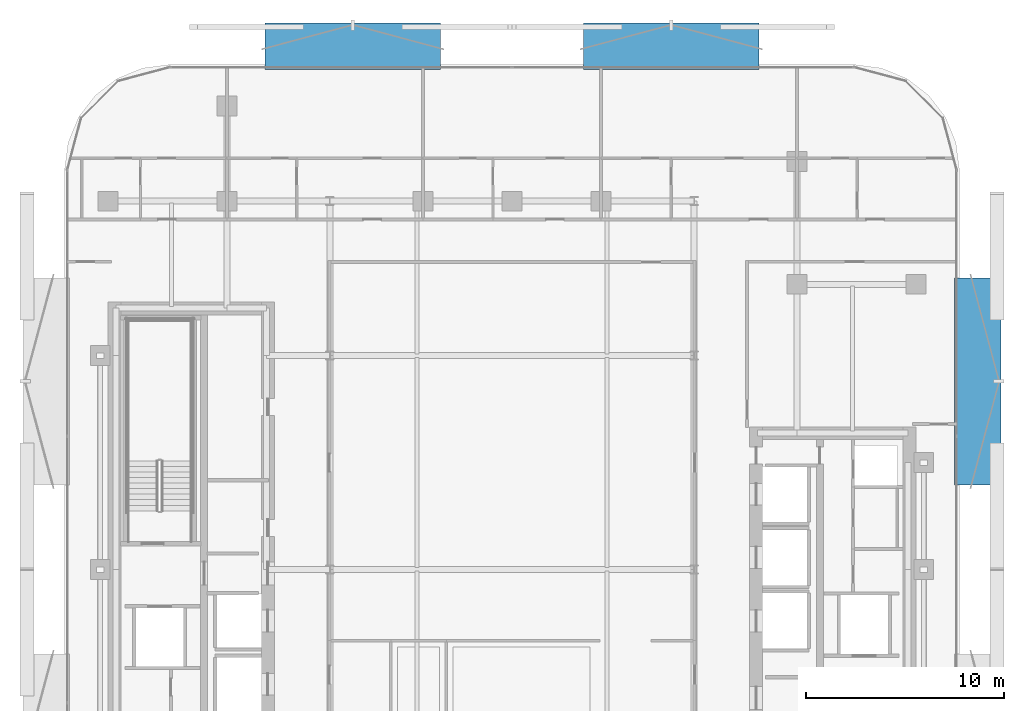
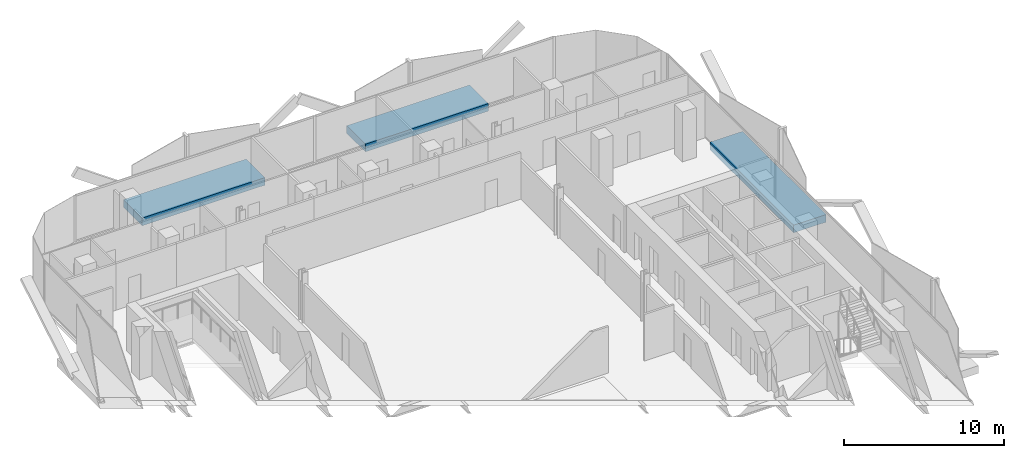
# One storey, part 8 of 17: 3 discrete accessories.
"""IFC4 building model written with IfcOpenShell, lengths in metres."""

from ifc_helpers import new_model, si_unit, direction, frame, origin, origin_2d, place, context, subcontext, project, spatial, rectangle, extrude, material, type_object, element, save


model = new_model("IFC4")

# Units and contexts
model_context = context("Model", 3, precision=1e-05, world=origin(), true_north=direction((0.0, 1.0)))
body_context = subcontext(model_context, "Body", "Model", "MODEL_VIEW")
ifc_project = project(units=[si_unit("LENGTHUNIT", "METRE"), si_unit("AREAUNIT", "SQUARE_METRE"), si_unit("VOLUMEUNIT", "CUBIC_METRE"), si_unit("PLANEANGLEUNIT", "RADIAN"), si_unit("MASSUNIT", "GRAM", prefix="KILO")], contexts=[model_context])

# Site, building, storey
site_placement = place(None, origin())
site = spatial("IfcSite", under=ifc_project, at=site_placement, CompositionType="ELEMENT")
building_placement = place(site_placement, origin())
building = spatial("IfcBuilding", under=site, at=building_placement, Name="Khairoan Windgate Tower", CompositionType="ELEMENT")
storey_placement = place(building_placement, frame((0.0, 0.0, 168.800048828125)))
storey = spatial("IfcBuildingStorey", under=building, at=storey_placement, Name="L38", CompositionType="ELEMENT", Elevation=168.800048828125)

# Discrete accessories
ifc_material = material(Name="Steel S355", Category="steel")
discrete_accessory_type = type_object("IfcDiscreteAccessoryType", Name="Solar Screen Outrigger Slab Bracket SSB-1", PredefinedType="BRACKET", material=ifc_material)
for number, where, z_axis, x_axis, name in (
    (1, (-8.04541015625, 26.429931640625, -0.420166015625), (0.0, 0.0, 1.0), (1.0, 0.0, 0.0), "L38 Solar Screen Outrigger Bracket 245"),
    (2, (8.04541015625, 26.429931640625, -0.420166015625), (0.0, 0.0, 1.0), (1.0, 0.0, 0.0), "L38 Solar Screen Outrigger Bracket 246"),
):
    element("IfcDiscreteAccessory", number, at=place(storey_placement, frame(where, z_axis=z_axis, x_axis=x_axis)), inside=storey, type_object=discrete_accessory_type, Name=name, PredefinedType="BRACKET", context=body_context, shape_type="SweptSolid", body=[
        extrude(rectangle(XDim=8.85009765625, YDim=2.340087890625, at=origin_2d()), origin(), (0.0, 0.0, 1.0), 0.580078125),
    ])
discrete_accessory_placement = place(storey_placement, frame((23.530029296875, 9.495361328125, -0.420166015625), z_axis=(0.0, 0.0, 1.0), x_axis=(0.0, -1.0, 0.0)))
element("IfcDiscreteAccessory", 3, at=discrete_accessory_placement, inside=storey, type_object=discrete_accessory_type, Name="L38 Solar Screen Outrigger Bracket 247", PredefinedType="BRACKET", context=body_context, shape_type="SweptSolid", body=[
    extrude(rectangle(XDim=10.445068359375, YDim=2.340087890625, at=origin_2d()), origin(), (0.0, 0.0, 1.0), 0.580078125),
])

save(model, "model.ifc")
